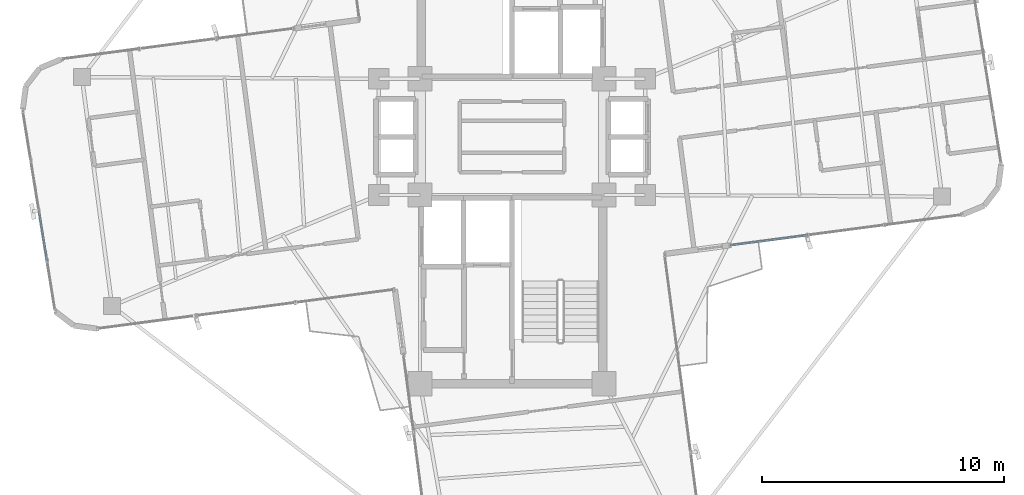
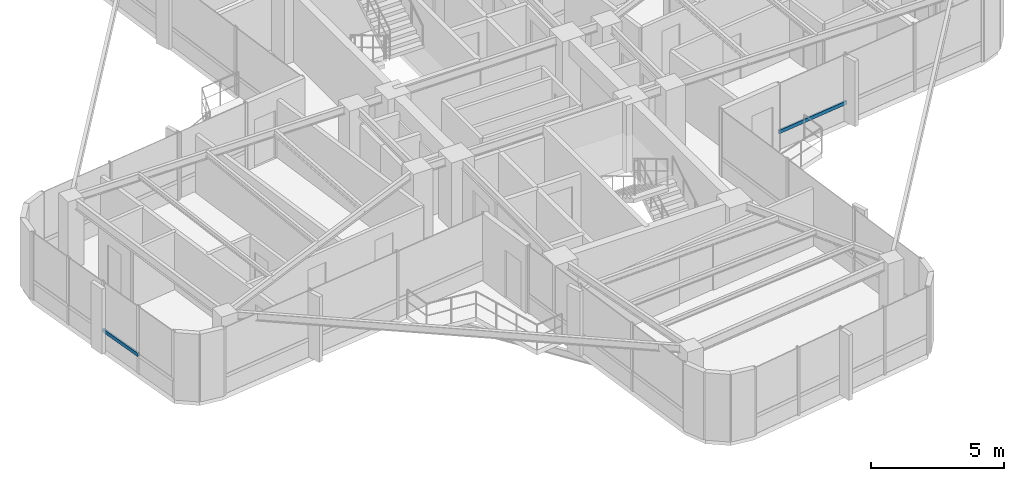
# One storey, part 6 of 22: 2 members, 2 elements without a shape of their own.
"""IFC4 building model written with IfcOpenShell, lengths in metres."""

from ifc_helpers import new_model, si_unit, direction, frame, origin, origin_2d, place, context, subcontext, project, spatial, hollow_rectangle, extrude, source, transform, mapped, material, material_profile, profile_set, type_object, element, aggregate, save


model = new_model("IFC4")

# Units and contexts
model_context = context("Model", 3, precision=1e-05, world=origin(), true_north=direction((0.0, 1.0)))
body_context = subcontext(model_context, "Body", "Model", "MODEL_VIEW")
ifc_project = project(units=[si_unit("LENGTHUNIT", "METRE"), si_unit("AREAUNIT", "SQUARE_METRE"), si_unit("VOLUMEUNIT", "CUBIC_METRE"), si_unit("PLANEANGLEUNIT", "RADIAN"), si_unit("MASSUNIT", "GRAM", prefix="KILO")], contexts=[model_context])

# Site, building, storey
site_placement = place(None, origin())
site = spatial("IfcSite", under=ifc_project, at=site_placement, CompositionType="ELEMENT")
building_placement = place(site_placement, origin())
building = spatial("IfcBuilding", under=site, at=building_placement, Name="Sahyath Konkavel Grand Hotel", CompositionType="ELEMENT")
storey_placement = place(building_placement, frame((0.0, 0.0, 244.5)))
storey = spatial("IfcBuildingStorey", under=building, at=storey_placement, Name="L68", CompositionType="ELEMENT", Elevation=244.5)

# Curtain wall, member
ifc_material_1 = material(Name="Anodised Bronze Aluminium & Low-E Glazing", Category="aluminium")
curtain_wall_type = type_object("IfcCurtainWallType", Name="CW-ZONE4", PredefinedType="NOTDEFINED", material=ifc_material_1)
curtain_wall_1_placement = place(storey_placement, origin())
curtain_wall_1 = element("IfcCurtainWall", 1, at=curtain_wall_1_placement, inside=storey, type_object=curtain_wall_type, Name="L68 Unitised Curtain Wall F0", PredefinedType="NOTDEFINED")
ifc_material_2 = material(Name="Anodised Bronze Aluminium", Category="aluminium")
ifc_material_profile = material_profile(ifc_material_2, hollow_rectangle(XDim=0.080078125, YDim=0.159912109375, WallThickness=0.006103515625, at=origin_2d()), Name="RHS 160x80x6")
ifc_profile_set = profile_set([ifc_material_profile], Name="Anodised Bronze Aluminium")
member_type = type_object("IfcMemberType", Name="CW-TRN-160", PredefinedType="USERDEFINED", material=ifc_profile_set)
shared_shape_1 = source(origin(), body_context, "Body", "SweptSolid", [
    extrude(hollow_rectangle(XDim=0.080078125, YDim=0.159912109375, WallThickness=0.006103515625, at=origin_2d()), origin(), (0.0, 0.0, 1.0), 3.21533203125),
])
member_1_placement = place(storey_placement, frame((9.018798828125, -4.478271484375, 0.85009765625), z_axis=(0.9914447303, 0.130527187822, 0.0), x_axis=(-0.130527187822, 0.9914447303, 0.0)))
member_1 = element("IfcMember", 2, at=member_1_placement, type_object=member_type, Name="L68 Curtain Wall Transom F0-0-spandrel", ObjectType="TRANSOM", PredefinedType="USERDEFINED", context=body_context, shape_type="MappedRepresentation", body=[
    mapped(shared_shape_1, transform((0.0, 0.0, 0.0), scale=1.0)),
])
aggregate(curtain_wall_1, [member_1])

curtain_wall_2_placement = place(storey_placement, origin())
curtain_wall_2 = element("IfcCurtainWall", 3, at=curtain_wall_2_placement, inside=storey, type_object=curtain_wall_type, Name="L68 Unitised Curtain Wall F20", PredefinedType="NOTDEFINED")
shared_shape_2 = source(origin(), body_context, "Body", "SweptSolid", [
    extrude(hollow_rectangle(XDim=0.080078125, YDim=0.159912109375, WallThickness=0.006103515625, at=origin_2d()), origin(), (0.0, 0.0, 1.0), 2.095947265625),
])
member_2_placement = place(storey_placement, frame((-19.53955078125, -3.038818359375, 0.85009765625), z_axis=(0.159466820322, -0.987203288698, 0.0), x_axis=(0.987203288698, 0.159466820322, 0.0)))
member_2 = element("IfcMember", 4, at=member_2_placement, type_object=member_type, Name="L68 Curtain Wall Transom F20-2-spandrel", ObjectType="TRANSOM", PredefinedType="USERDEFINED", context=body_context, shape_type="MappedRepresentation", body=[
    mapped(shared_shape_2, transform((0.0, 0.0, 0.0), scale=1.0)),
])
aggregate(curtain_wall_2, [member_2])

save(model, "model.ifc")
